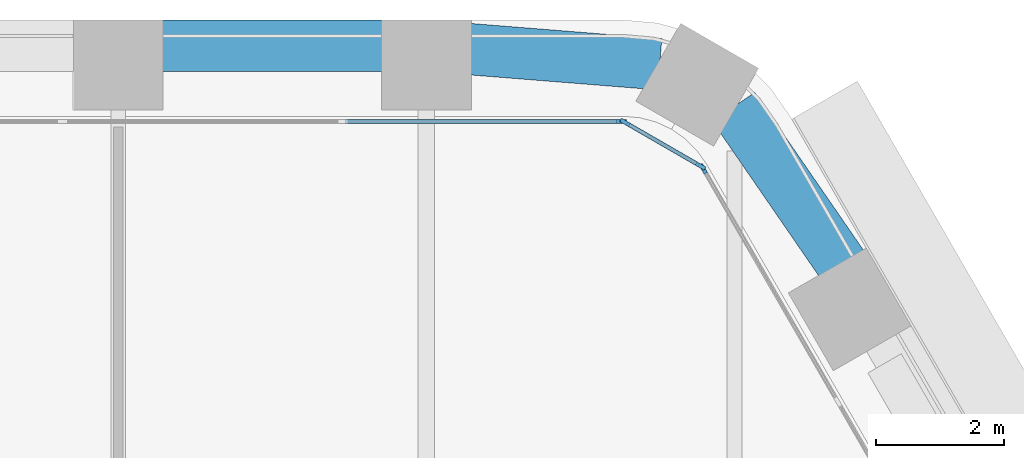
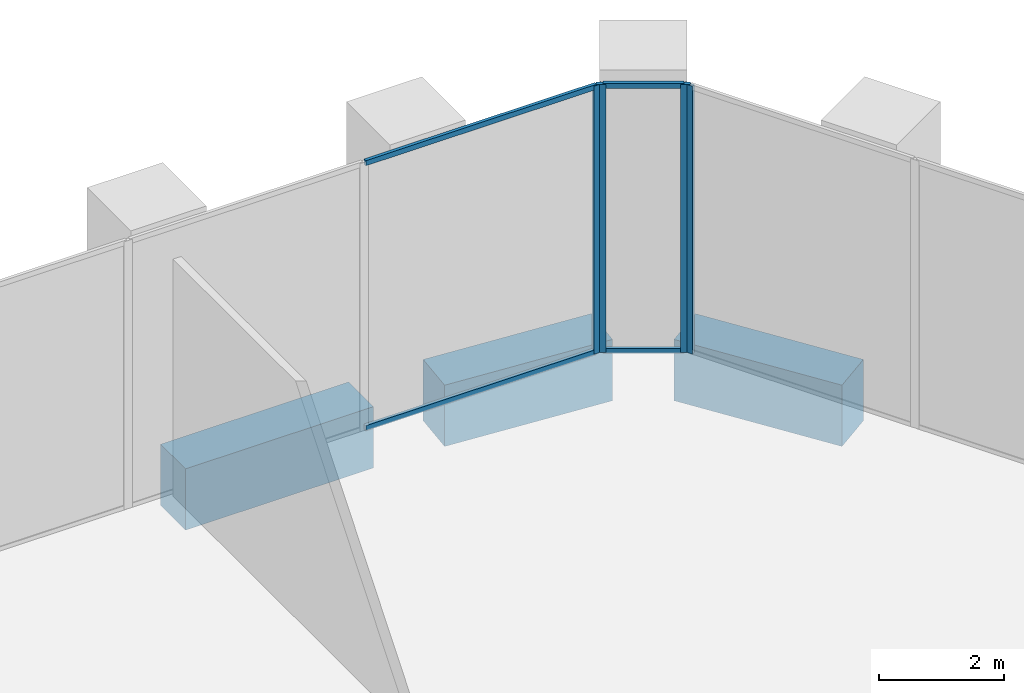
# One storey, part 14 of 27: 8 members, 3 beams, 3 elements without a shape of their own.
"""IFC4 building model written with IfcOpenShell, lengths in metres."""

from ifc_helpers import new_model, si_unit, direction, frame, origin, origin_2d, place, context, subcontext, project, spatial, rectangle, extrude, material, material_profile, profile_set, type_object, element, aggregate, save


model = new_model("IFC4")

# Units and contexts
model_context = context("Model", 3, precision=1e-05, world=origin(), true_north=direction((0.0, 1.0)))
body_context = subcontext(model_context, "Body", "Model", "MODEL_VIEW")
ifc_project = project(units=[si_unit("LENGTHUNIT", "METRE"), si_unit("AREAUNIT", "SQUARE_METRE"), si_unit("VOLUMEUNIT", "CUBIC_METRE"), si_unit("PLANEANGLEUNIT", "RADIAN"), si_unit("MASSUNIT", "GRAM", prefix="KILO")], contexts=[model_context])

# Site, building, storey
site_placement = place(None, origin())
site = spatial("IfcSite", under=ifc_project, at=site_placement, CompositionType="ELEMENT")
building_placement = place(site_placement, origin())
building = spatial("IfcBuilding", under=site, at=building_placement, Name="Kolab Exchange Tower", CompositionType="ELEMENT")
storey_placement = place(building_placement, frame((0.0, 0.0, 44.39990234375)))
storey = spatial("IfcBuildingStorey", under=building, at=storey_placement, Name="L08", CompositionType="ELEMENT", Elevation=44.39990234375)

# Beams
ifc_material_1 = material(Name="Concrete C80/95", Category="concrete")
ifc_material_profile_1 = material_profile(ifc_material_1, rectangle(XDim=0.800048828125, YDim=1.199951171875, at=origin_2d()), Name="RC800X1200")
ifc_profile_set_1 = profile_set([ifc_material_profile_1], Name="Concrete C80/95")
beam_type = type_object("IfcBeamType", Name="SPANDREL BEAM 800X1200 C80/95", PredefinedType="BEAM", material=ifc_profile_set_1)
beam_1_placement = place(storey_placement, frame((10.260009765625, 32.85546875, -0.849853515625), z_axis=(1.0, 0.0, 0.0), x_axis=(0.0, 1.0, 0.0)))
element("IfcBeam", 1, at=beam_1_placement, inside=storey, type_object=beam_type, Name="beam/L08/sp/F1-07", PredefinedType="BEAM", context=body_context, shape_type="SweptSolid", body=[
    extrude(rectangle(XDim=0.800048828125, YDim=1.199951171875, at=origin_2d()), origin(), (0.0, 0.0, 1.0), 3.47998046875),
])
beam_2_placement = place(storey_placement, frame((15.06005859375, 32.802734375, -0.849853515625), z_axis=(0.996833978278, -0.07951112973, 0.0), x_axis=(0.07951112973, 0.996833978278, 0.0)))
element("IfcBeam", 2, at=beam_2_placement, inside=storey, type_object=beam_type, Name="beam/L08/sp/F1-08", PredefinedType="BEAM", context=body_context, shape_type="SweptSolid", body=[
    extrude(rectangle(XDim=0.800048828125, YDim=1.199951171875, at=origin_2d()), origin(), (0.0, 0.0, 1.0), 2.984619140625),
])
beam_3_placement = place(storey_placement, frame((19.18505859375, 31.901611328125, -0.849853515625), z_axis=(0.567247290755, -0.823547516013, 0.0), x_axis=(0.823547516013, 0.567247290755, 0.0)))
element("IfcBeam", 3, at=beam_3_placement, inside=storey, type_object=beam_type, Name="beam/L08/sp/F2-01", PredefinedType="BEAM", context=body_context, shape_type="SweptSolid", body=[
    extrude(rectangle(XDim=0.800048828125, YDim=1.199951171875, at=origin_2d()), origin(), (0.0, 0.0, 1.0), 2.984375),
])

# Curtain wall, member
ifc_material_2 = material(Name="Aluminium EN AW-6063 T6", Category="aluminium")
curtain_wall_type = type_object("IfcCurtainWallType", Name="UNITISED LOW ZONE CURTAIN WALL", PredefinedType="NOTDEFINED", material=ifc_material_2)
curtain_wall_1_placement = place(storey_placement, origin())
curtain_wall_1 = element("IfcCurtainWall", 4, at=curtain_wall_1_placement, inside=storey, type_object=curtain_wall_type, Name="cw/L08/F1-2", PredefinedType="NOTDEFINED")
ifc_material_profile_2 = material_profile(ifc_material_2, rectangle(XDim=0.06005859375, YDim=0.159912109375, at=origin_2d()), Name="RECT 60X160")
ifc_profile_set_2 = profile_set([ifc_material_profile_2], Name="Aluminium EN AW-6063 T6")
member_type_1 = type_object("IfcMemberType", Name="UNITISED LOW ZONE MULLION 60 X 160", PredefinedType="MULLION", material=ifc_profile_set_2)
member_1_placement = place(storey_placement, frame((17.43798828125, 31.67529296875, 0.0), z_axis=(0.0, 0.0, 1.0), x_axis=(0.0, 1.0, 0.0)))
member_1 = element("IfcMember", 5, at=member_1_placement, type_object=member_type_1, Name="CW1 mullion 5", PredefinedType="MULLION", context=body_context, shape_type="SweptSolid", body=[
    extrude(rectangle(XDim=0.06005859375, YDim=0.159912109375, at=origin_2d()), origin(), (0.0, 0.0, 1.0), 5.25),
])

curtain_wall_2_placement = place(storey_placement, origin())
curtain_wall_2 = element("IfcCurtainWall", 6, at=curtain_wall_2_placement, inside=storey, type_object=curtain_wall_type, Name="cw/L08/F2-1", PredefinedType="NOTDEFINED")
member_2_placement = place(storey_placement, frame((18.712646484375, 30.939453125, 0.0), z_axis=(0.0, 0.0, 1.0), x_axis=(0.866025393644, 0.500000017564, 0.0)))
member_2 = element("IfcMember", 7, at=member_2_placement, type_object=member_type_1, Name="CW1 mullion 1", PredefinedType="MULLION", context=body_context, shape_type="SweptSolid", body=[
    extrude(rectangle(XDim=0.06005859375, YDim=0.159912109375, at=origin_2d()), origin(), (0.0, 0.0, 1.0), 5.25),
])
aggregate(curtain_wall_2, [member_2])

# Curtain wall, members
curtain_wall_3_placement = place(storey_placement, origin())
curtain_wall_3 = element("IfcCurtainWall", 8, at=curtain_wall_3_placement, inside=storey, type_object=curtain_wall_type, Name="cw/L08/F1F2-corner", PredefinedType="NOTDEFINED")
member_3_placement = place(storey_placement, frame((17.493896484375, 31.660400390625, 0.0), z_axis=(0.0, 0.0, 1.0), x_axis=(0.50000002237, 0.866025390869, 0.0)))
member_3 = element("IfcMember", 9, at=member_3_placement, type_object=member_type_1, Name="CW1 mullion 1", PredefinedType="MULLION", context=body_context, shape_type="SweptSolid", body=[
    extrude(rectangle(XDim=0.06005859375, YDim=0.159912109375, at=origin_2d()), origin(), (0.0, 0.0, 1.0), 5.25),
])
member_4_placement = place(storey_placement, frame((18.671630859375, 30.98046875, 0.0), z_axis=(0.0, 0.0, 1.0), x_axis=(0.50000002237, 0.866025390869, 0.0)))
member_4 = element("IfcMember", 10, at=member_4_placement, type_object=member_type_1, Name="CW1 mullion 2", PredefinedType="MULLION", context=body_context, shape_type="SweptSolid", body=[
    extrude(rectangle(XDim=0.06005859375, YDim=0.159912109375, at=origin_2d()), origin(), (0.0, 0.0, 1.0), 5.25),
])

# Member
ifc_material_profile_3 = material_profile(ifc_material_2, rectangle(XDim=0.06005859375, YDim=0.10009765625, at=origin_2d()), Name="RECT 60X100")
ifc_profile_set_3 = profile_set([ifc_material_profile_3], Name="Aluminium EN AW-6063 T6")
member_type_2 = type_object("IfcMemberType", Name="UNITISED LOW ZONE TRANSOM 60 X 100", PredefinedType="USERDEFINED", material=ifc_profile_set_3)
member_5_placement = place(storey_placement, frame((13.130859375, 31.67529296875, 0.030029296875), z_axis=(1.0, 0.0, 0.0), x_axis=(0.0, 1.0, 0.0)))
member_5 = element("IfcMember", 11, at=member_5_placement, type_object=member_type_2, Name="CW1 transom 4.1", ObjectType="TRANSOM", PredefinedType="USERDEFINED", context=body_context, shape_type="SweptSolid", body=[
    extrude(rectangle(XDim=0.06005859375, YDim=0.10009765625, at=origin_2d()), origin(), (0.0, 0.0, 1.0), 4.277099609375),
])

member_6_placement = place(storey_placement, frame((13.130859375, 31.67529296875, 5.22021484375), z_axis=(1.0, 0.0, 0.0), x_axis=(0.0, 1.0, 0.0)))
member_6 = element("IfcMember", 12, at=member_6_placement, type_object=member_type_2, Name="CW1 transom 4.2", ObjectType="TRANSOM", PredefinedType="USERDEFINED", context=body_context, shape_type="SweptSolid", body=[
    extrude(rectangle(XDim=0.06005859375, YDim=0.10009765625, at=origin_2d()), origin(), (0.0, 0.0, 1.0), 4.277099609375),
])

aggregate(curtain_wall_1, [member_1, member_5, member_6])

member_7_placement = place(storey_placement, frame((17.52001953125, 31.645263671875, 0.030029296875), z_axis=(0.86603858612, -0.49997716683, 0.0), x_axis=(0.49997716683, 0.86603858612, 0.0)))
member_7 = element("IfcMember", 13, at=member_7_placement, type_object=member_type_2, Name="CW1 transom 1.1", ObjectType="TRANSOM", PredefinedType="USERDEFINED", context=body_context, shape_type="SweptSolid", body=[
    extrude(rectangle(XDim=0.06005859375, YDim=0.10009765625, at=origin_2d()), origin(), (0.0, 0.0, 1.0), 1.2998046875),
])

member_8_placement = place(storey_placement, frame((17.52001953125, 31.645263671875, 5.22021484375), z_axis=(0.86603858612, -0.49997716683, 0.0), x_axis=(0.49997716683, 0.86603858612, 0.0)))
member_8 = element("IfcMember", 14, at=member_8_placement, type_object=member_type_2, Name="CW1 transom 1.2", ObjectType="TRANSOM", PredefinedType="USERDEFINED", context=body_context, shape_type="SweptSolid", body=[
    extrude(rectangle(XDim=0.06005859375, YDim=0.10009765625, at=origin_2d()), origin(), (0.0, 0.0, 1.0), 1.2998046875),
])

aggregate(curtain_wall_3, [member_3, member_4, member_7, member_8])

save(model, "model.ifc")
